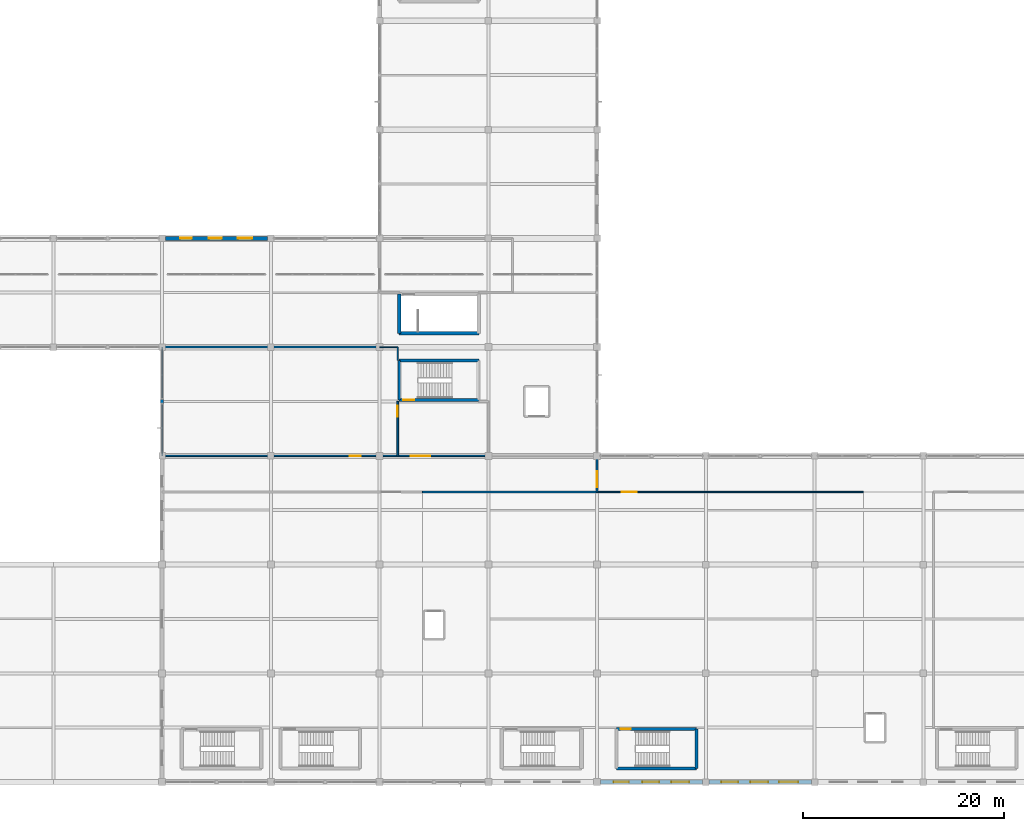
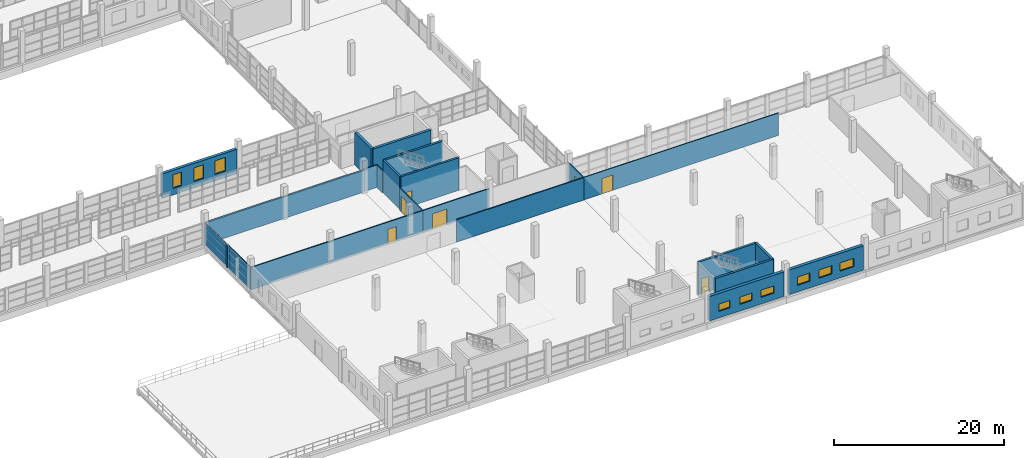
# One storey, part 111 of 142: 23 walls, 9 windows, 7 doors, 16 openings.
"""IFC4 building model written with IfcOpenShell, lengths in metres."""

from ifc_helpers import new_model, si_unit, direction, frame, frame_2d, origin, place, context, subcontext, project, spatial, rectangle, extrude, material, layer, layer_set, type_object, element, fill, save


model = new_model("IFC4")

# Units and contexts
model_context = context("Model", 3, precision=1e-05, world=origin(), true_north=direction((0.0, 1.0)))
body_context = subcontext(model_context, "Body", "Model", "MODEL_VIEW")
ifc_project = project(units=[si_unit("LENGTHUNIT", "METRE"), si_unit("AREAUNIT", "SQUARE_METRE"), si_unit("VOLUMEUNIT", "CUBIC_METRE"), si_unit("PLANEANGLEUNIT", "RADIAN"), si_unit("MASSUNIT", "GRAM", prefix="KILO")], contexts=[model_context])

# Site, building, storey
site_placement = place(None, origin())
site = spatial("IfcSite", under=ifc_project, at=site_placement, CompositionType="ELEMENT")
building_placement = place(site_placement, origin())
building = spatial("IfcBuilding", under=site, at=building_placement, Name="Zwinboog Wholesale Market", CompositionType="ELEMENT")
storey_placement = place(building_placement, frame((0.0, 0.0, 5.39990234375)))
storey = spatial("IfcBuildingStorey", under=building, at=storey_placement, Name="L01", CompositionType="ELEMENT", Elevation=5.39990234375)

# Wall, openings, windows
ifc_material_1 = material(Name="Precast concrete C45/55", Category="concrete")
ifc_layer_1 = layer(ifc_material_1, 0.389892578125)
ifc_layer_set_1 = layer_set([ifc_layer_1], Name="Precast concrete C45/55")
wall_type_1 = type_object("IfcWallType", Name="WT-EW-390", PredefinedType="STANDARD", material=ifc_layer_set_1)
wall_1_placement = place(storey_placement, frame((129.919921875, 54.0, 0.0), z_axis=(0.0, 0.0, 1.0), x_axis=(1.0, 0.0, 0.0)))
wall_1 = element("IfcWall", 1, at=wall_1_placement, inside=storey, type_object=wall_type_1, Name="EW-02 (WL-EW-L01-149)", PredefinedType="STANDARD", context=body_context, shape_type="SweptSolid", body=[
    extrude(rectangle(XDim=10.16015625, YDim=0.389892578125, at=frame_2d((5.080078125, 0.0))), origin(), (0.0, 0.0, 1.0), 3.530029296875),
])
opening_1_placement = place(wall_1_placement, frame((1.465087890625, 0.0, 0.949951171875)))
opening_1 = element("IfcOpeningElement", 2, at=opening_1_placement, cuts=wall_1, Name="Opening WN-58", PredefinedType="OPENING", context=body_context, shape_type="SweptSolid", body=[
    extrude(rectangle(XDim=1.169921875, YDim=1.949951171875, at=frame_2d((0.5849609375, 0.97509765625))), frame((0.0, 0.204833984375, 0.0), z_axis=(0.0, -1.0, 0.0), x_axis=(1.0, 0.0, 0.0)), (0.0, 0.0, 1.0), 0.409912109375),
])
opening_2_placement = place(wall_1_placement, frame((4.3349609375, 0.0, 0.949951171875)))
opening_2 = element("IfcOpeningElement", 3, at=opening_2_placement, cuts=wall_1, Name="Opening WN-59", PredefinedType="OPENING", context=body_context, shape_type="SweptSolid", body=[
    extrude(rectangle(XDim=1.2900390625, YDim=1.949951171875, at=frame_2d((0.64501953125, 0.97509765625))), frame((0.0, 0.204833984375, 0.0), z_axis=(0.0, -1.0, 0.0), x_axis=(1.0, 0.0, 0.0)), (0.0, 0.0, 1.0), 0.409912109375),
])
opening_3_placement = place(wall_1_placement, frame((7.205078125, 0.0, 0.949951171875)))
opening_3 = element("IfcOpeningElement", 4, at=opening_3_placement, cuts=wall_1, Name="Opening WN-60", PredefinedType="OPENING", context=body_context, shape_type="SweptSolid", body=[
    extrude(rectangle(XDim=1.409912109375, YDim=1.949951171875, at=frame_2d((0.705078125, 0.97509765625))), frame((0.0, 0.204833984375, 0.0), z_axis=(0.0, -1.0, 0.0), x_axis=(1.0, 0.0, 0.0)), (0.0, 0.0, 1.0), 0.409912109375),
])
ifc_material_2 = material(Name="Thermally broken aluminium low-e window", Category="aluminium")
window_type_1 = type_object("IfcWindowType", Name="WNT-58", PartitioningType="SINGLE_PANEL", PredefinedType="WINDOW", material=ifc_material_2)
window_1_placement = place(opening_1_placement, origin())
window_1 = element("IfcWindow", 5, at=window_1_placement, inside=storey, type_object=window_type_1, Name="WN-58 (WIN-L01-0130)", OverallHeight=1.949951171875, OverallWidth=1.169921875, PartitioningType="SINGLE_PANEL", PredefinedType="WINDOW", context=body_context, shape_type="SweptSolid", body=[
    extrude(rectangle(XDim=1.169921875, YDim=1.949951171875, at=frame_2d((0.5849609375, 0.97509765625))), frame((0.0, 0.030029296875, 0.0), z_axis=(0.0, -1.0, 0.0), x_axis=(1.0, 0.0, 0.0)), (0.0, 0.0, 1.0), 0.06005859375),
])
fill(opening_1, window_1)
window_type_2 = type_object("IfcWindowType", Name="WNT-59", PartitioningType="SINGLE_PANEL", PredefinedType="WINDOW", material=ifc_material_2)
window_2_placement = place(opening_2_placement, origin())
window_2 = element("IfcWindow", 6, at=window_2_placement, inside=storey, type_object=window_type_2, Name="WN-59 (WIN-L01-0131)", OverallHeight=1.949951171875, OverallWidth=1.2900390625, PartitioningType="SINGLE_PANEL", PredefinedType="WINDOW", context=body_context, shape_type="SweptSolid", body=[
    extrude(rectangle(XDim=1.2900390625, YDim=1.949951171875, at=frame_2d((0.64501953125, 0.97509765625))), frame((0.0, 0.030029296875, 0.0), z_axis=(0.0, -1.0, 0.0), x_axis=(1.0, 0.0, 0.0)), (0.0, 0.0, 1.0), 0.06005859375),
])
fill(opening_2, window_2)
window_type_3 = type_object("IfcWindowType", Name="WNT-60", PartitioningType="SINGLE_PANEL", PredefinedType="WINDOW", material=ifc_material_2)
window_3_placement = place(opening_3_placement, origin())
window_3 = element("IfcWindow", 7, at=window_3_placement, inside=storey, type_object=window_type_3, Name="WN-60 (WIN-L01-0132)", OverallHeight=1.949951171875, OverallWidth=1.409912109375, PartitioningType="SINGLE_PANEL", PredefinedType="WINDOW", context=body_context, shape_type="SweptSolid", body=[
    extrude(rectangle(XDim=1.409912109375, YDim=1.949951171875, at=frame_2d((0.705078125, 0.97509765625))), frame((0.0, 0.030029296875, 0.0), z_axis=(0.0, -1.0, 0.0), x_axis=(1.0, 0.0, 0.0)), (0.0, 0.0, 1.0), 0.06005859375),
])
fill(opening_3, window_3)

ifc_layer_2 = layer(ifc_material_1, 0.409912109375)
ifc_layer_set_2 = layer_set([ifc_layer_2], Name="Precast concrete C45/55")
wall_type_2 = type_object("IfcWallType", Name="WT-EW-410", PredefinedType="STANDARD", material=ifc_layer_set_2)
wall_2_placement = place(storey_placement, frame((173.14501953125, 0.0, 0.0), z_axis=(0.0, 0.0, 1.0), x_axis=(1.0, 0.0, 0.0)))
wall_2 = element("IfcWall", 8, at=wall_2_placement, inside=storey, type_object=wall_type_2, Name="EW-03 (WL-EW-L01-170)", PredefinedType="STANDARD", context=body_context, shape_type="SweptSolid", body=[
    extrude(rectangle(XDim=10.135009765625, YDim=0.409912109375, at=frame_2d((5.0673828125, 0.0))), origin(), (0.0, 0.0, 1.0), 3.530029296875),
])
opening_4_placement = place(wall_2_placement, frame((1.284912109375, 0.0, 0.949951171875)))
opening_4 = element("IfcOpeningElement", 9, at=opening_4_placement, cuts=wall_2, Name="Opening WN-13", PredefinedType="OPENING", context=body_context, shape_type="SweptSolid", body=[
    extrude(rectangle(XDim=1.530029296875, YDim=1.050048828125, at=frame_2d((0.76513671875, 0.52490234375))), frame((0.0, 0.21484375, 0.0), z_axis=(0.0, -1.0, 0.0), x_axis=(1.0, 0.0, 0.0)), (0.0, 0.0, 1.0), 0.429931640625),
])
opening_5_placement = place(wall_2_placement, frame((4.155029296875, 0.0, 0.949951171875)))
opening_5 = element("IfcOpeningElement", 10, at=opening_5_placement, cuts=wall_2, Name="Opening WN-14", PredefinedType="OPENING", context=body_context, shape_type="SweptSolid", body=[
    extrude(rectangle(XDim=1.64990234375, YDim=1.050048828125, at=frame_2d((0.824951171875, 0.52490234375))), frame((0.0, 0.21484375, 0.0), z_axis=(0.0, -1.0, 0.0), x_axis=(1.0, 0.0, 0.0)), (0.0, 0.0, 1.0), 0.429931640625),
])
opening_6_placement = place(wall_2_placement, frame((7.02490234375, 0.0, 0.949951171875)))
opening_6 = element("IfcOpeningElement", 11, at=opening_6_placement, cuts=wall_2, Name="Opening WN-15", PredefinedType="OPENING", context=body_context, shape_type="SweptSolid", body=[
    extrude(rectangle(XDim=1.77001953125, YDim=1.050048828125, at=frame_2d((0.885009765625, 0.52490234375))), frame((0.0, 0.21484375, 0.0), z_axis=(0.0, -1.0, 0.0), x_axis=(1.0, 0.0, 0.0)), (0.0, 0.0, 1.0), 0.429931640625),
])
window_type_4 = type_object("IfcWindowType", Name="WNT-13", PartitioningType="SINGLE_PANEL", PredefinedType="WINDOW", material=ifc_material_2)
window_4_placement = place(opening_4_placement, frame((1.530029296875, 0.0, 0.0), z_axis=(0.0, 0.0, 1.0), x_axis=(-1.0, 0.0, 0.0)))
window_4 = element("IfcWindow", 12, at=window_4_placement, inside=storey, type_object=window_type_4, Name="WN-13 (WIN-L01-0157)", OverallHeight=1.050048828125, OverallWidth=1.530029296875, PartitioningType="SINGLE_PANEL", PredefinedType="WINDOW", context=body_context, shape_type="SweptSolid", body=[
    extrude(rectangle(XDim=1.530029296875, YDim=1.050048828125, at=frame_2d((0.76513671875, 0.52490234375))), frame((0.0, 0.030029296875, 0.0), z_axis=(0.0, -1.0, 0.0), x_axis=(1.0, 0.0, 0.0)), (0.0, 0.0, 1.0), 0.06005859375),
])
fill(opening_4, window_4)
window_type_5 = type_object("IfcWindowType", Name="WNT-14", PartitioningType="SINGLE_PANEL", PredefinedType="WINDOW", material=ifc_material_2)
window_5_placement = place(opening_5_placement, frame((1.64990234375, 0.0, 0.0), z_axis=(0.0, 0.0, 1.0), x_axis=(-1.0, 0.0, 0.0)))
window_5 = element("IfcWindow", 13, at=window_5_placement, inside=storey, type_object=window_type_5, Name="WN-14 (WIN-L01-0158)", OverallHeight=1.050048828125, OverallWidth=1.64990234375, PartitioningType="SINGLE_PANEL", PredefinedType="WINDOW", context=body_context, shape_type="SweptSolid", body=[
    extrude(rectangle(XDim=1.64990234375, YDim=1.050048828125, at=frame_2d((0.824951171875, 0.52490234375))), frame((0.0, 0.030029296875, 0.0), z_axis=(0.0, -1.0, 0.0), x_axis=(1.0, 0.0, 0.0)), (0.0, 0.0, 1.0), 0.06005859375),
])
fill(opening_5, window_5)
window_type_6 = type_object("IfcWindowType", Name="WNT-15", PartitioningType="SINGLE_PANEL", PredefinedType="WINDOW", material=ifc_material_2)
window_6_placement = place(opening_6_placement, frame((1.77001953125, 0.0, 0.0), z_axis=(0.0, 0.0, 1.0), x_axis=(-1.0, 0.0, 0.0)))
window_6 = element("IfcWindow", 14, at=window_6_placement, inside=storey, type_object=window_type_6, Name="WN-15 (WIN-L01-0159)", OverallHeight=1.050048828125, OverallWidth=1.77001953125, PartitioningType="SINGLE_PANEL", PredefinedType="WINDOW", context=body_context, shape_type="SweptSolid", body=[
    extrude(rectangle(XDim=1.77001953125, YDim=1.050048828125, at=frame_2d((0.885009765625, 0.52490234375))), frame((0.0, 0.030029296875, 0.0), z_axis=(0.0, -1.0, 0.0), x_axis=(1.0, 0.0, 0.0)), (0.0, 0.0, 1.0), 0.06005859375),
])
fill(opening_6, window_6)

wall_3_placement = place(storey_placement, frame((183.919921875, 0.0, 0.0), z_axis=(0.0, 0.0, 1.0), x_axis=(1.0, 0.0, 0.0)))
wall_3 = element("IfcWall", 15, at=wall_3_placement, inside=storey, type_object=wall_type_2, Name="EW-03 (WL-EW-L01-174)", PredefinedType="STANDARD", context=body_context, shape_type="SweptSolid", body=[
    extrude(rectangle(XDim=10.16015625, YDim=0.409912109375, at=frame_2d((5.080078125, 0.0))), origin(), (0.0, 0.0, 1.0), 3.530029296875),
])
opening_7_placement = place(wall_3_placement, frame((1.22509765625, 0.0, 0.949951171875)))
opening_7 = element("IfcOpeningElement", 16, at=opening_7_placement, cuts=wall_3, Name="Opening WN-22", PredefinedType="OPENING", context=body_context, shape_type="SweptSolid", body=[
    extrude(rectangle(XDim=1.64990234375, YDim=1.199951171875, at=frame_2d((0.824951171875, 0.60009765625))), frame((0.0, 0.21484375, 0.0), z_axis=(0.0, -1.0, 0.0), x_axis=(1.0, 0.0, 0.0)), (0.0, 0.0, 1.0), 0.429931640625),
])
opening_8_placement = place(wall_3_placement, frame((4.094970703125, 0.0, 0.949951171875)))
opening_8 = element("IfcOpeningElement", 17, at=opening_8_placement, cuts=wall_3, Name="Opening WN-23", PredefinedType="OPENING", context=body_context, shape_type="SweptSolid", body=[
    extrude(rectangle(XDim=1.77001953125, YDim=1.199951171875, at=frame_2d((0.885009765625, 0.60009765625))), frame((0.0, 0.21484375, 0.0), z_axis=(0.0, -1.0, 0.0), x_axis=(1.0, 0.0, 0.0)), (0.0, 0.0, 1.0), 0.429931640625),
])
opening_9_placement = place(wall_3_placement, frame((6.965087890625, 0.0, 0.949951171875)))
opening_9 = element("IfcOpeningElement", 18, at=opening_9_placement, cuts=wall_3, Name="Opening WN-24", PredefinedType="OPENING", context=body_context, shape_type="SweptSolid", body=[
    extrude(rectangle(XDim=1.889892578125, YDim=1.199951171875, at=frame_2d((0.94482421875, 0.60009765625))), frame((0.0, 0.21484375, 0.0), z_axis=(0.0, -1.0, 0.0), x_axis=(1.0, 0.0, 0.0)), (0.0, 0.0, 1.0), 0.429931640625),
])
window_type_7 = type_object("IfcWindowType", Name="WNT-22", PartitioningType="SINGLE_PANEL", PredefinedType="WINDOW", material=ifc_material_2)
window_7_placement = place(opening_7_placement, frame((1.64990234375, 0.0, 0.0), z_axis=(0.0, 0.0, 1.0), x_axis=(-1.0, 0.0, 0.0)))
window_7 = element("IfcWindow", 19, at=window_7_placement, inside=storey, type_object=window_type_7, Name="WN-22 (WIN-L01-0166)", OverallHeight=1.199951171875, OverallWidth=1.64990234375, PartitioningType="SINGLE_PANEL", PredefinedType="WINDOW", context=body_context, shape_type="SweptSolid", body=[
    extrude(rectangle(XDim=1.64990234375, YDim=1.199951171875, at=frame_2d((0.824951171875, 0.60009765625))), frame((0.0, 0.030029296875, 0.0), z_axis=(0.0, -1.0, 0.0), x_axis=(1.0, 0.0, 0.0)), (0.0, 0.0, 1.0), 0.06005859375),
])
fill(opening_7, window_7)
window_type_8 = type_object("IfcWindowType", Name="WNT-23", PartitioningType="SINGLE_PANEL", PredefinedType="WINDOW", material=ifc_material_2)
window_8_placement = place(opening_8_placement, frame((1.77001953125, 0.0, 0.0), z_axis=(0.0, 0.0, 1.0), x_axis=(-1.0, 0.0, 0.0)))
window_8 = element("IfcWindow", 20, at=window_8_placement, inside=storey, type_object=window_type_8, Name="WN-23 (WIN-L01-0167)", OverallHeight=1.199951171875, OverallWidth=1.77001953125, PartitioningType="SINGLE_PANEL", PredefinedType="WINDOW", context=body_context, shape_type="SweptSolid", body=[
    extrude(rectangle(XDim=1.77001953125, YDim=1.199951171875, at=frame_2d((0.885009765625, 0.60009765625))), frame((0.0, 0.030029296875, 0.0), z_axis=(0.0, -1.0, 0.0), x_axis=(1.0, 0.0, 0.0)), (0.0, 0.0, 1.0), 0.06005859375),
])
fill(opening_8, window_8)
window_type_9 = type_object("IfcWindowType", Name="WNT-24", PartitioningType="SINGLE_PANEL", PredefinedType="WINDOW", material=ifc_material_2)
window_9_placement = place(opening_9_placement, frame((1.889892578125, 0.0, 0.0), z_axis=(0.0, 0.0, 1.0), x_axis=(-1.0, 0.0, 0.0)))
window_9 = element("IfcWindow", 21, at=window_9_placement, inside=storey, type_object=window_type_9, Name="WN-24 (WIN-L01-0168)", OverallHeight=1.199951171875, OverallWidth=1.889892578125, PartitioningType="SINGLE_PANEL", PredefinedType="WINDOW", context=body_context, shape_type="SweptSolid", body=[
    extrude(rectangle(XDim=1.889892578125, YDim=1.199951171875, at=frame_2d((0.94482421875, 0.60009765625))), frame((0.0, 0.030029296875, 0.0), z_axis=(0.0, -1.0, 0.0), x_axis=(1.0, 0.0, 0.0)), (0.0, 0.0, 1.0), 0.06005859375),
])
fill(opening_9, window_9)

# Wall
ifc_layer_3 = layer(ifc_material_1, 0.304931640625)
ifc_layer_set_3 = layer_set([ifc_layer_3], Name="Precast concrete C45/55")
wall_type_3 = type_object("IfcWallType", Name="WT-EW-305", PredefinedType="STANDARD", material=ifc_layer_set_3)
wall_4_placement = place(storey_placement, frame((129.60009765625, 37.60009765625, 0.0), z_axis=(0.0, 0.0, 1.0), x_axis=(0.0, 1.0, 0.0)))
element("IfcWall", 22, at=wall_4_placement, inside=storey, type_object=wall_type_3, Name="EW-07 (WL-PIER-L01-148)", PredefinedType="STANDARD", context=body_context, shape_type="SweptSolid", body=[
    extrude(rectangle(XDim=0.39990234375, YDim=0.304931640625, at=frame_2d((0.199951171875, 0.0))), origin(), (0.0, 0.0, 1.0), 3.1201171875),
])

# Wall, opening, door
ifc_material_3 = material(Name="Concrete C40/50", Category="concrete")
ifc_layer_4 = layer(ifc_material_3, 0.280029296875)
ifc_layer_set_4 = layer_set([ifc_layer_4], Name="Concrete C40/50")
wall_type_4 = type_object("IfcWallType", Name="WT-SW-280", PredefinedType="SHEAR", material=ifc_layer_set_4)
wall_5_placement = place(storey_placement, frame((153.14990234375, 37.949951171875, 0.0), z_axis=(0.0, 0.0, 1.0), x_axis=(1.0, 0.0, 0.0)))
wall_5 = element("IfcWall", 23, at=wall_5_placement, inside=storey, type_object=wall_type_4, Name="SW-01 (WL-SW-L01-117)", PredefinedType="SHEAR", context=body_context, shape_type="SweptSolid", body=[
    extrude(rectangle(XDim=7.900146484375, YDim=0.280029296875, at=frame_2d((3.9501953125, 0.0))), origin(), (0.0, 0.0, 1.0), 4.68017578125),
])
opening_10_placement = place(wall_5_placement, frame((0.3798828125, 0.0, 0.0)))
opening_10 = element("IfcOpeningElement", 24, at=opening_10_placement, cuts=wall_5, Name="Opening FD-0030", PredefinedType="OPENING", context=body_context, shape_type="SweptSolid", body=[
    extrude(rectangle(XDim=1.10009765625, YDim=2.199951171875, at=frame_2d((0.550048828125, 1.10009765625))), frame((0.0, 0.14990234375, 0.0), z_axis=(0.0, -1.0, 0.0), x_axis=(1.0, 0.0, 0.0)), (0.0, 0.0, 1.0), 0.300048828125),
])
ifc_material_4 = material(Name="Timber and powder-coated steel door leaf", Category="steel")
door_type_1 = type_object("IfcDoorType", Name="IDT-FD-02", OperationType="NOTDEFINED", PredefinedType="DOOR", material=ifc_material_4)
door_1_placement = place(opening_10_placement, frame((1.10009765625, 0.0, 0.0), z_axis=(0.0, 0.0, 1.0), x_axis=(-1.0, 0.0, 0.0)))
door_1 = element("IfcDoor", 25, at=door_1_placement, inside=storey, type_object=door_type_1, Name="Core Fire Door FD-0030", OperationType="SINGLE_SWING_LEFT", OverallHeight=2.199951171875, OverallWidth=1.10009765625, PredefinedType="DOOR", context=body_context, shape_type="SweptSolid", body=[
    extrude(rectangle(XDim=1.10009765625, YDim=2.199951171875, at=frame_2d((0.550048828125, 1.10009765625))), frame((0.0, 0.02490234375, 0.0), z_axis=(0.0, -1.0, 0.0), x_axis=(1.0, 0.0, 0.0)), (0.0, 0.0, 1.0), 0.050048828125),
])
fill(opening_10, door_1)

# Walls
wall_6_placement = place(storey_placement, frame((153.14990234375, 41.85009765625, 0.0), z_axis=(0.0, 0.0, 1.0), x_axis=(1.0, 0.0, 0.0)))
element("IfcWall", 26, at=wall_6_placement, inside=storey, type_object=wall_type_4, Name="SW-01 (WL-SW-L01-118)", PredefinedType="SHEAR", context=body_context, shape_type="SweptSolid", body=[
    extrude(rectangle(XDim=7.900146484375, YDim=0.280029296875, at=frame_2d((3.9501953125, 0.0))), origin(), (0.0, 0.0, 1.0), 4.68017578125),
])
wall_7_placement = place(storey_placement, frame((153.14990234375, 37.949951171875, 0.0), z_axis=(0.0, 0.0, 1.0), x_axis=(0.0, 1.0, 0.0)))
element("IfcWall", 27, at=wall_7_placement, inside=storey, type_object=wall_type_4, Name="SW-01 (WL-SW-L01-119)", PredefinedType="SHEAR", context=body_context, shape_type="SweptSolid", body=[
    extrude(rectangle(XDim=3.900146484375, YDim=0.280029296875, at=frame_2d((1.9501953125, 0.0))), origin(), (0.0, 0.0, 1.0), 4.68017578125),
])
ifc_layer_5 = layer(ifc_material_3, 0.300048828125)
ifc_layer_set_5 = layer_set([ifc_layer_5], Name="Concrete C40/50")
wall_type_5 = type_object("IfcWallType", Name="WT-SW-300", PredefinedType="SHEAR", material=ifc_layer_set_5)
wall_8_placement = place(storey_placement, frame((174.75, 1.35009765625, 0.0), z_axis=(0.0, 0.0, 1.0), x_axis=(1.0, 0.0, 0.0)))
element("IfcWall", 28, at=wall_8_placement, inside=storey, type_object=wall_type_5, Name="SW-02 (WL-SW-L01-073)", PredefinedType="SHEAR", context=body_context, shape_type="SweptSolid", body=[
    extrude(rectangle(XDim=7.89990234375, YDim=0.300048828125, at=frame_2d((3.949951171875, 0.0))), origin(), (0.0, 0.0, 1.0), 4.68017578125),
])

# Wall, opening, door
wall_9_placement = place(storey_placement, frame((174.75, 5.25, 0.0), z_axis=(0.0, 0.0, 1.0), x_axis=(1.0, 0.0, 0.0)))
wall_9 = element("IfcWall", 29, at=wall_9_placement, inside=storey, type_object=wall_type_5, Name="SW-02 (WL-SW-L01-074)", PredefinedType="SHEAR", context=body_context, shape_type="SweptSolid", body=[
    extrude(rectangle(XDim=7.89990234375, YDim=0.300048828125, at=frame_2d((3.949951171875, 0.0))), origin(), (0.0, 0.0, 1.0), 4.68017578125),
])
opening_11_placement = place(wall_9_placement, frame((0.3798828125, 0.0, 0.0)))
opening_11 = element("IfcOpeningElement", 30, at=opening_11_placement, cuts=wall_9, Name="Opening FD-0019", PredefinedType="OPENING", context=body_context, shape_type="SweptSolid", body=[
    extrude(rectangle(XDim=1.0, YDim=2.14990234375, at=frame_2d((0.5, 1.074951171875))), frame((0.0, 0.159912109375, 0.0), z_axis=(0.0, -1.0, 0.0), x_axis=(1.0, 0.0, 0.0)), (0.0, 0.0, 1.0), 0.320068359375),
])
door_type_2 = type_object("IfcDoorType", Name="IDT-FD-01", OperationType="NOTDEFINED", PredefinedType="DOOR", material=ifc_material_4)
door_2_placement = place(opening_11_placement, origin())
door_2 = element("IfcDoor", 31, at=door_2_placement, inside=storey, type_object=door_type_2, Name="Core Fire Door FD-0019", OperationType="SINGLE_SWING_RIGHT", OverallHeight=2.14990234375, OverallWidth=1.0, PredefinedType="DOOR", context=body_context, shape_type="SweptSolid", body=[
    extrude(rectangle(XDim=1.0, YDim=2.14990234375, at=frame_2d((0.5, 1.074951171875))), frame((0.0, 0.02490234375, 0.0), z_axis=(0.0, -1.0, 0.0), x_axis=(1.0, 0.0, 0.0)), (0.0, 0.0, 1.0), 0.050048828125),
])
fill(opening_11, door_2)

# Walls
wall_10_placement = place(storey_placement, frame((182.64990234375, 1.35009765625, 0.0), z_axis=(0.0, 0.0, 1.0), x_axis=(0.0, 1.0, 0.0)))
element("IfcWall", 32, at=wall_10_placement, inside=storey, type_object=wall_type_5, Name="SW-02 (WL-SW-L01-076)", PredefinedType="SHEAR", context=body_context, shape_type="SweptSolid", body=[
    extrude(rectangle(XDim=3.89990234375, YDim=0.300048828125, at=frame_2d((1.949951171875, 0.0))), origin(), (0.0, 0.0, 1.0), 4.68017578125),
])
ifc_layer_6 = layer(ifc_material_3, 0.35009765625)
ifc_layer_set_6 = layer_set([ifc_layer_6], Name="Concrete C40/50")
wall_type_6 = type_object("IfcWallType", Name="WT-SW-350", PredefinedType="SHEAR", material=ifc_layer_set_6)
wall_11_placement = place(storey_placement, frame((153.14990234375, 44.550048828125, 0.0), z_axis=(0.0, 0.0, 1.0), x_axis=(1.0, 0.0, 0.0)))
element("IfcWall", 33, at=wall_11_placement, inside=storey, type_object=wall_type_6, Name="SW-04 (WL-SW-L01-157)", PredefinedType="SHEAR", context=body_context, shape_type="SweptSolid", body=[
    extrude(rectangle(XDim=7.900146484375, YDim=0.35009765625, at=frame_2d((3.9501953125, 0.0))), origin(), (0.0, 0.0, 1.0), 4.68017578125),
])
wall_12_placement = place(storey_placement, frame((153.14990234375, 44.550048828125, 0.0), z_axis=(0.0, 0.0, 1.0), x_axis=(0.0, 1.0, 0.0)))
element("IfcWall", 34, at=wall_12_placement, inside=storey, type_object=wall_type_6, Name="SW-04 (WL-SW-L01-159)", PredefinedType="SHEAR", context=body_context, shape_type="SweptSolid", body=[
    extrude(rectangle(XDim=3.89990234375, YDim=0.35009765625, at=frame_2d((1.949951171875, 0.0))), origin(), (0.0, 0.0, 1.0), 4.68017578125),
])

# Wall, opening, door
ifc_layer_7 = layer(ifc_material_1, 0.179931640625)
ifc_layer_set_7 = layer_set([ifc_layer_7], Name="Precast concrete C45/55")
wall_type_7 = type_object("IfcWallType", Name="WT-IW-180", PredefinedType="PARTITIONING", material=ifc_layer_set_7)
wall_13_placement = place(storey_placement, frame((172.800048828125, 28.800048828125, 0.0), z_axis=(0.0, 0.0, 1.0), x_axis=(0.0, 1.0, 0.0)))
wall_13 = element("IfcWall", 35, at=wall_13_placement, inside=storey, type_object=wall_type_7, Name="IW-01 (WL-IN-L01-0124)", PredefinedType="PARTITIONING", context=body_context, shape_type="SweptSolid", body=[
    extrude(rectangle(XDim=3.599853515625, YDim=0.179931640625, at=frame_2d((1.7998046875, 0.0))), origin(), (0.0, 0.0, 1.0), 3.22998046875),
])
opening_12_placement = place(wall_13_placement, frame((0.4599609375, 0.0, 0.0)))
opening_12 = element("IfcOpeningElement", 36, at=opening_12_placement, cuts=wall_13, Name="Opening IDF-0055", PredefinedType="OPENING", context=body_context, shape_type="SweptSolid", body=[
    extrude(rectangle(XDim=1.60009765625, YDim=2.199951171875, at=frame_2d((0.800048828125, 1.10009765625))), frame((0.0, 0.099853515625, 0.0), z_axis=(0.0, -1.0, 0.0), x_axis=(1.0, 0.0, 0.0)), (0.0, 0.0, 1.0), 0.199951171875),
])
door_type_3 = type_object("IfcDoorType", Name="IDT-FD-03", OperationType="DOUBLE_DOOR_SINGLE_SWING", PredefinedType="DOOR", material=ifc_material_4)
door_3_placement = place(opening_12_placement, origin())
door_3 = element("IfcDoor", 37, at=door_3_placement, inside=storey, type_object=door_type_3, Name="Interior Door IDF-0055", OperationType="DOUBLE_DOOR_SINGLE_SWING", OverallHeight=2.199951171875, OverallWidth=1.60009765625, PredefinedType="DOOR", context=body_context, shape_type="SweptSolid", body=[
    extrude(rectangle(XDim=1.60009765625, YDim=2.199951171875, at=frame_2d((0.800048828125, 1.10009765625))), frame((0.0, 0.02490234375, 0.0), z_axis=(0.0, -1.0, 0.0), x_axis=(1.0, 0.0, 0.0)), (0.0, 0.0, 1.0), 0.050048828125),
])
fill(opening_12, door_3)

# Walls
ifc_layer_8 = layer(ifc_material_1, 0.235107421875)
ifc_layer_set_8 = layer_set([ifc_layer_8], Name="Precast concrete C45/55")
wall_type_8 = type_object("IfcWallType", Name="WT-IW-235", PredefinedType="PARTITIONING", material=ifc_layer_set_8)
wall_14_placement = place(storey_placement, frame((129.60009765625, 43.199951171875, 0.0), z_axis=(0.0, 0.0, 1.0), x_axis=(1.0, 0.0, 0.0)))
element("IfcWall", 38, at=wall_14_placement, inside=storey, type_object=wall_type_8, Name="IW-03 (WL-IN-L01-0213)", PredefinedType="PARTITIONING", context=body_context, shape_type="SweptSolid", body=[
    extrude(rectangle(XDim=21.599853515625, YDim=0.235107421875, at=frame_2d((10.7998046875, 0.0))), origin(), (0.0, 0.0, 1.0), 3.1201171875),
])
ifc_material_5 = material(Name="Gypsum acoustic stud partition")
ifc_layer_9 = layer(ifc_material_5, 0.10791015625)
ifc_layer_set_9 = layer_set([ifc_layer_9], Name="Gypsum acoustic stud partition")
wall_type_9 = type_object("IfcWallType", Name="WT-PT-108", PredefinedType="PARTITIONING", material=ifc_layer_set_9)
wall_15_placement = place(storey_placement, frame((129.60009765625, 32.39990234375, 0.0), z_axis=(0.0, 0.0, 1.0), x_axis=(0.0, 1.0, 0.0)))
element("IfcWall", 39, at=wall_15_placement, inside=storey, type_object=wall_type_9, Name="PW-01 (WL-IN-L01-0211)", PredefinedType="PARTITIONING", context=body_context, shape_type="SweptSolid", body=[
    extrude(rectangle(XDim=5.047607421875, YDim=0.10791015625, at=frame_2d((2.52392578125, 0.0))), origin(), (0.0, 0.0, 1.0), 3.22998046875),
])
wall_16_placement = place(storey_placement, frame((129.60009765625, 38.152587890625, 0.0), z_axis=(0.0, 0.0, 1.0), x_axis=(0.0, 1.0, 0.0)))
element("IfcWall", 40, at=wall_16_placement, inside=storey, type_object=wall_type_9, Name="PW-01 (WL-IN-L01-0212)", PredefinedType="PARTITIONING", context=body_context, shape_type="SweptSolid", body=[
    extrude(rectangle(XDim=5.04736328125, YDim=0.10791015625, at=frame_2d((2.523681640625, 0.0))), origin(), (0.0, 0.0, 1.0), 3.1201171875),
])
wall_17_placement = place(storey_placement, frame((151.199951171875, 43.199951171875, 0.0), z_axis=(0.0, 0.0, 1.0), x_axis=(1.0, 0.0, 0.0)))
element("IfcWall", 41, at=wall_17_placement, inside=storey, type_object=wall_type_9, Name="PW-01 (WL-IN-L01-0214)", PredefinedType="PARTITIONING", context=body_context, shape_type="SweptSolid", body=[
    extrude(rectangle(XDim=1.800048828125, YDim=0.10791015625, at=frame_2d((0.89990234375, 0.0))), origin(), (0.0, 0.0, 1.0), 3.22998046875),
])
wall_18_placement = place(storey_placement, frame((153.0, 41.8701171875, 0.0), z_axis=(0.0, 0.0, 1.0), x_axis=(0.0, 1.0, 0.0)))
element("IfcWall", 42, at=wall_18_placement, inside=storey, type_object=wall_type_9, Name="PW-01 (WL-IN-L01-0223)", PredefinedType="PARTITIONING", context=body_context, shape_type="SweptSolid", body=[
    extrude(rectangle(XDim=1.329833984375, YDim=0.10791015625, at=frame_2d((0.6650390625, 0.0))), origin(), (0.0, 0.0, 1.0), 3.22998046875),
])

# Wall, opening, door
ifc_layer_10 = layer(ifc_material_5, 0.1240234375)
ifc_layer_set_10 = layer_set([ifc_layer_10], Name="Gypsum acoustic stud partition")
wall_type_10 = type_object("IfcWallType", Name="WT-PT-124", PredefinedType="PARTITIONING", material=ifc_layer_set_10)
wall_19_placement = place(storey_placement, frame((172.800048828125, 28.800048828125, 0.0), z_axis=(0.0, 0.0, 1.0), x_axis=(1.0, 0.0, 0.0)))
wall_19 = element("IfcWall", 43, at=wall_19_placement, inside=storey, type_object=wall_type_10, Name="PW-02 (WL-IN-L01-0149)", PredefinedType="PARTITIONING", context=body_context, shape_type="SweptSolid", body=[
    extrude(rectangle(XDim=26.449951171875, YDim=0.1240234375, at=frame_2d((13.22509765625, 0.0))), origin(), (0.0, 0.0, 1.0), 3.22998046875),
])
opening_13_placement = place(wall_19_placement, frame((2.43408203125, 0.0, 0.0)))
opening_13 = element("IfcOpeningElement", 44, at=opening_13_placement, cuts=wall_19, Name="Opening D-0076", PredefinedType="OPENING", context=body_context, shape_type="SweptSolid", body=[
    extrude(rectangle(XDim=1.47998046875, YDim=2.199951171875, at=frame_2d((0.739990234375, 1.10009765625))), frame((0.0, 0.072021484375, 0.0), z_axis=(0.0, -1.0, 0.0), x_axis=(1.0, 0.0, 0.0)), (0.0, 0.0, 1.0), 0.14404296875),
])
door_type_4 = type_object("IfcDoorType", Name="IDT-DB-01", OperationType="DOUBLE_DOOR_SINGLE_SWING", PredefinedType="DOOR", material=ifc_material_4)
door_4_placement = place(opening_13_placement, origin())
door_4 = element("IfcDoor", 45, at=door_4_placement, inside=storey, type_object=door_type_4, Name="Interior Door D-0076", OperationType="DOUBLE_DOOR_SINGLE_SWING", OverallHeight=2.199951171875, OverallWidth=1.47998046875, PredefinedType="DOOR", context=body_context, shape_type="SweptSolid", body=[
    extrude(rectangle(XDim=1.47998046875, YDim=2.199951171875, at=frame_2d((0.739990234375, 1.10009765625))), frame((0.0, 0.02490234375, 0.0), z_axis=(0.0, -1.0, 0.0), x_axis=(1.0, 0.0, 0.0)), (0.0, 0.0, 1.0), 0.050048828125),
])
fill(opening_13, door_4)

ifc_material_6 = material(Name="Fire-rated corridor stud partition")
ifc_layer_11 = layer(ifc_material_6, 0.154052734375)
ifc_layer_set_11 = layer_set([ifc_layer_11], Name="Fire-rated corridor stud partition")
wall_type_11 = type_object("IfcWallType", Name="WT-PT-154", PredefinedType="PARTITIONING", material=ifc_layer_set_11)
wall_20_placement = place(storey_placement, frame((153.0, 32.39990234375, 0.0), z_axis=(0.0, 0.0, 1.0), x_axis=(1.0, 0.0, 0.0)))
wall_20 = element("IfcWall", 46, at=wall_20_placement, inside=storey, type_object=wall_type_11, Name="PW-04 (WL-IN-L01-0123)", PredefinedType="PARTITIONING", context=body_context, shape_type="SweptSolid", body=[
    extrude(rectangle(XDim=9.0, YDim=0.154052734375, at=frame_2d((4.5, 0.0))), origin(), (0.0, 0.0, 1.0), 3.22998046875),
])
opening_14_placement = place(wall_20_placement, frame((1.27001953125, 0.0, 0.0)))
opening_14 = element("IfcOpeningElement", 47, at=opening_14_placement, cuts=wall_20, Name="Opening IDF-0054", PredefinedType="OPENING", context=body_context, shape_type="SweptSolid", body=[
    extrude(rectangle(XDim=1.9599609375, YDim=2.300048828125, at=frame_2d((0.97998046875, 1.14990234375))), frame((0.0, 0.0869140625, 0.0), z_axis=(0.0, -1.0, 0.0), x_axis=(1.0, 0.0, 0.0)), (0.0, 0.0, 1.0), 0.174072265625),
])
door_type_5 = type_object("IfcDoorType", Name="IDT-FD-05", OperationType="DOUBLE_DOOR_SINGLE_SWING", PredefinedType="DOOR", material=ifc_material_4)
door_5_placement = place(opening_14_placement, frame((1.9599609375, 0.0, 0.0), z_axis=(0.0, 0.0, 1.0), x_axis=(-1.0, 0.0, 0.0)))
door_5 = element("IfcDoor", 48, at=door_5_placement, inside=storey, type_object=door_type_5, Name="Interior Door IDF-0054", OperationType="DOUBLE_DOOR_SINGLE_SWING", OverallHeight=2.300048828125, OverallWidth=1.9599609375, PredefinedType="DOOR", context=body_context, shape_type="SweptSolid", body=[
    extrude(rectangle(XDim=1.9599609375, YDim=2.300048828125, at=frame_2d((0.97998046875, 1.14990234375))), frame((0.0, 0.02490234375, 0.0), z_axis=(0.0, -1.0, 0.0), x_axis=(1.0, 0.0, 0.0)), (0.0, 0.0, 1.0), 0.050048828125),
])
fill(opening_14, door_5)

wall_21_placement = place(storey_placement, frame((129.60009765625, 32.39990234375, 0.0), z_axis=(0.0, 0.0, 1.0), x_axis=(1.0, 0.0, 0.0)))
wall_21 = element("IfcWall", 49, at=wall_21_placement, inside=storey, type_object=wall_type_11, Name="PW-04 (WL-IN-L01-0143)", PredefinedType="PARTITIONING", context=body_context, shape_type="SweptSolid", body=[
    extrude(rectangle(XDim=23.39990234375, YDim=0.154052734375, at=frame_2d((11.699951171875, 0.0))), origin(), (0.0, 0.0, 1.0), 3.22998046875),
])
opening_15_placement = place(wall_21_placement, frame((18.637939453125, 0.0, 0.0)))
opening_15 = element("IfcOpeningElement", 50, at=opening_15_placement, cuts=wall_21, Name="Opening IDF-0070", PredefinedType="OPENING", context=body_context, shape_type="SweptSolid", body=[
    extrude(rectangle(XDim=1.10009765625, YDim=2.199951171875, at=frame_2d((0.550048828125, 1.10009765625))), frame((0.0, 0.0869140625, 0.0), z_axis=(0.0, -1.0, 0.0), x_axis=(1.0, 0.0, 0.0)), (0.0, 0.0, 1.0), 0.174072265625),
])
door_6_placement = place(opening_15_placement, origin())
door_6 = element("IfcDoor", 51, at=door_6_placement, inside=storey, type_object=door_type_1, Name="Interior Door IDF-0070", OperationType="SINGLE_SWING_LEFT", OverallHeight=2.199951171875, OverallWidth=1.10009765625, PredefinedType="DOOR", context=body_context, shape_type="SweptSolid", body=[
    extrude(rectangle(XDim=1.10009765625, YDim=2.199951171875, at=frame_2d((0.550048828125, 1.10009765625))), frame((0.0, 0.02490234375, 0.0), z_axis=(0.0, -1.0, 0.0), x_axis=(1.0, 0.0, 0.0)), (0.0, 0.0, 1.0), 0.050048828125),
])
fill(opening_15, door_6)

wall_22_placement = place(storey_placement, frame((153.0, 32.39990234375, 0.0), z_axis=(0.0, 0.0, 1.0), x_axis=(0.0, 1.0, 0.0)))
wall_22 = element("IfcWall", 52, at=wall_22_placement, inside=storey, type_object=wall_type_11, Name="PW-04 (WL-IN-L01-0147)", PredefinedType="PARTITIONING", context=body_context, shape_type="SweptSolid", body=[
    extrude(rectangle(XDim=5.400146484375, YDim=0.154052734375, at=frame_2d((2.7001953125, 0.0))), origin(), (0.0, 0.0, 1.0), 3.22998046875),
])
opening_16_placement = place(wall_22_placement, frame((3.8779296875, 0.0, 0.0)))
opening_16 = element("IfcOpeningElement", 53, at=opening_16_placement, cuts=wall_22, Name="Opening IDF-0074", PredefinedType="OPENING", context=body_context, shape_type="SweptSolid", body=[
    extrude(rectangle(XDim=1.10009765625, YDim=2.199951171875, at=frame_2d((0.550048828125, 1.10009765625))), frame((0.0, 0.0869140625, 0.0), z_axis=(0.0, -1.0, 0.0), x_axis=(1.0, 0.0, 0.0)), (0.0, 0.0, 1.0), 0.174072265625),
])
door_7_placement = place(opening_16_placement, origin())
door_7 = element("IfcDoor", 54, at=door_7_placement, inside=storey, type_object=door_type_1, Name="Interior Door IDF-0074", OperationType="SINGLE_SWING_LEFT", OverallHeight=2.199951171875, OverallWidth=1.10009765625, PredefinedType="DOOR", context=body_context, shape_type="SweptSolid", body=[
    extrude(rectangle(XDim=1.10009765625, YDim=2.199951171875, at=frame_2d((0.550048828125, 1.10009765625))), frame((0.0, 0.02490234375, 0.0), z_axis=(0.0, -1.0, 0.0), x_axis=(1.0, 0.0, 0.0)), (0.0, 0.0, 1.0), 0.050048828125),
])
fill(opening_16, door_7)

# Wall
ifc_material_7 = material(Name="Laboratory acoustic partition")
ifc_layer_12 = layer(ifc_material_7, 0.16796875)
ifc_layer_set_12 = layer_set([ifc_layer_12], Name="Laboratory acoustic partition")
wall_type_12 = type_object("IfcWallType", Name="WT-PT-168", PredefinedType="PARTITIONING", material=ifc_layer_set_12)
wall_23_placement = place(storey_placement, frame((155.449951171875, 28.800048828125, 0.0), z_axis=(0.0, 0.0, 1.0), x_axis=(1.0, 0.0, 0.0)))
element("IfcWall", 55, at=wall_23_placement, inside=storey, type_object=wall_type_12, Name="PW-05 (WL-IN-L01-0224)", PredefinedType="PARTITIONING", context=body_context, shape_type="SweptSolid", body=[
    extrude(rectangle(XDim=17.35009765625, YDim=0.16796875, at=frame_2d((8.675048828125, 0.0))), origin(), (0.0, 0.0, 1.0), 3.22998046875),
])

save(model, "model.ifc")
